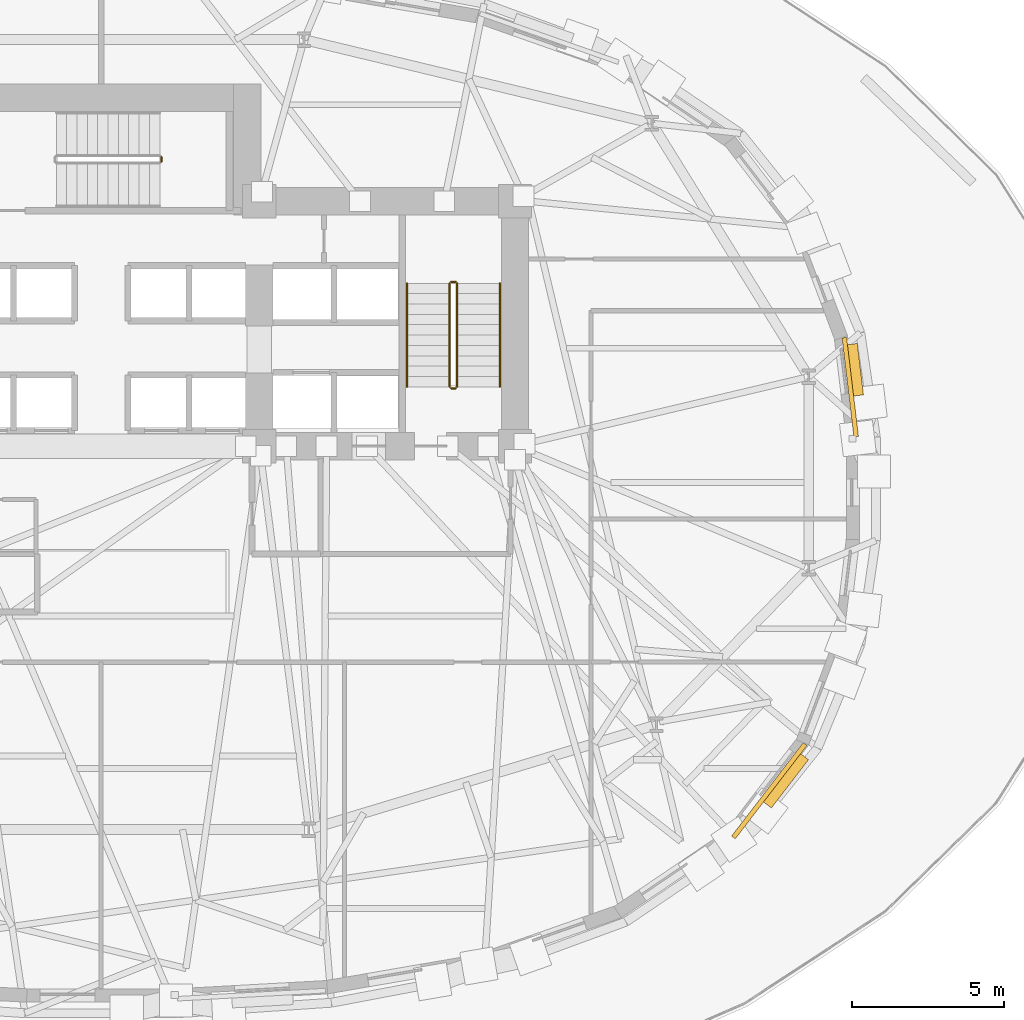
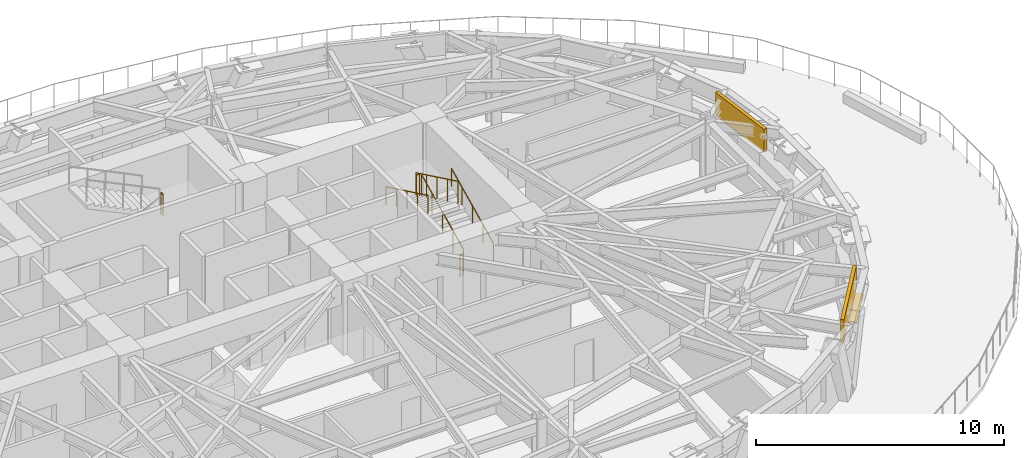
# One storey, part 13 of 14: 7 railings, 2 coverings, 2 shading devices.
"""IFC4 building model written with IfcOpenShell, lengths in metres."""

from ifc_helpers import new_model, si_unit, direction, frame, origin, origin_2d, place, context, subcontext, project, spatial, rectangle, circle, extrude, material, layer, layer_set, type_object, element, save


model = new_model("IFC4")

# Units and contexts
model_context = context("Model", 3, precision=1e-05, world=origin(), true_north=direction((0.0, 1.0)))
body_context = subcontext(model_context, "Body", "Model", "MODEL_VIEW")
ifc_project = project(units=[si_unit("LENGTHUNIT", "METRE"), si_unit("AREAUNIT", "SQUARE_METRE"), si_unit("VOLUMEUNIT", "CUBIC_METRE"), si_unit("PLANEANGLEUNIT", "RADIAN"), si_unit("MASSUNIT", "GRAM", prefix="KILO")], contexts=[model_context])

# Site, building, storey
site_placement = place(None, origin())
site = spatial("IfcSite", under=ifc_project, at=site_placement, CompositionType="ELEMENT")
building_placement = place(site_placement, origin())
building = spatial("IfcBuilding", under=site, at=building_placement, Name="Keldmark Tower", CompositionType="ELEMENT")
storey_placement = place(building_placement, frame((0.0, 0.0, 27.0)))
storey = spatial("IfcBuildingStorey", under=building, at=storey_placement, Name="L06", CompositionType="ELEMENT", Elevation=27.0)

# Shading devices
ifc_material_1 = material(Name="Kasota Buff Limestone Bullnose and Bronze Anodized Aluminum", Category="masonry")
ifc_layer_1 = layer(ifc_material_1, 0.080078125)
ifc_layer_set_1 = layer_set([ifc_layer_1], Name="Kasota Buff Limestone Bullnose and Bronze Anodized Aluminum")
shading_device_type = type_object("IfcShadingDeviceType", Name="Deep-Set Punched Window Stone-and-Metal Sunshade", PredefinedType="AWNING", material=ifc_layer_set_1)
shading_device_1_placement = place(storey_placement, frame((24.742431640625, 3.904296875, 2.35986328125), z_axis=(0.0, 0.0, 1.0), x_axis=(0.118767901212, -0.992922044091, 0.0)))
element("IfcShadingDevice", 1, at=shading_device_1_placement, inside=storey, type_object=shading_device_type, Name="L06 Kasota Stone Window Sunshade 01", PredefinedType="AWNING", context=body_context, shape_type="SweptSolid", body=[
    extrude(rectangle(XDim=1.699951171875, YDim=0.419921875, at=origin_2d()), origin(), (0.0, 0.0, 1.0), 0.080078125),
])
shading_device_2_placement = place(storey_placement, frame((22.468994140625, -9.571533203125, 2.35986328125), z_axis=(0.0, 0.0, 1.0), x_axis=(-0.60883065983, -0.793300212814, 0.0)))
element("IfcShadingDevice", 2, at=shading_device_2_placement, inside=storey, type_object=shading_device_type, Name="L06 Kasota Stone Window Sunshade 29", PredefinedType="AWNING", context=body_context, shape_type="SweptSolid", body=[
    extrude(rectangle(XDim=2.0, YDim=0.419921875, at=origin_2d()), origin(), (0.0, 0.0, 1.0), 0.080078125),
])

# Coverings
ifc_material_2 = material(Name="Honed Kasota Buff Dolomitic Limestone", Category="masonry")
ifc_layer_2 = layer(ifc_material_2, 0.074951171875)
ifc_layer_set_2 = layer_set([ifc_layer_2], Name="Honed Kasota Buff Dolomitic Limestone")
covering_type = type_object("IfcCoveringType", Name="Kasota Buff Limestone Spandrel Cladding Band", PredefinedType="CLADDING", material=ifc_layer_set_2)
covering_1_placement = place(storey_placement, frame((24.619140625, 3.336181640625, 2.453125), z_axis=(0.0, 0.0, 1.0), x_axis=(-0.118767901212, 0.992922044091, 0.0)))
element("IfcCovering", 3, at=covering_1_placement, inside=storey, type_object=covering_type, Name="L06 Kasota Limestone Spandrel Band 01", PredefinedType="CLADDING", context=body_context, shape_type="SweptSolid", body=[
    extrude(rectangle(XDim=3.2783203125, YDim=0.14990234375, at=origin_2d()), origin(), (0.0, 0.0, 1.0), 1.126953125),
])
covering_2_placement = place(storey_placement, frame((21.956787109375, -9.927001953125, 2.453125), z_axis=(0.0, 0.0, 1.0), x_axis=(0.60883065983, 0.793300212814, 0.0)))
element("IfcCovering", 4, at=covering_2_placement, inside=storey, type_object=covering_type, Name="L06 Kasota Limestone Spandrel Band 29", PredefinedType="CLADDING", context=body_context, shape_type="SweptSolid", body=[
    extrude(rectangle(XDim=3.861328125, YDim=0.14990234375, at=origin_2d()), origin(), (0.0, 0.0, 1.0), 1.126953125),
])

# Railings
ifc_material_3 = material(Name="Painted Steel ASTM A500 Grade B", Category="steel")
railing_type_1 = type_object("IfcRailingType", Name="Painted Steel Stair Well Guard 1100 mm", PredefinedType="GUARDRAIL", material=ifc_material_3)
railing_1_placement = place(storey_placement, frame((11.699951171875, 3.35009765625, 0.16357421875)))
element("IfcRailing", 5, at=railing_1_placement, inside=storey, type_object=railing_type_1, Name="L06 ST2 stair guard 1", PredefinedType="GUARDRAIL", context=body_context, shape_type="SweptSolid", body=[
    extrude(circle(Radius=0.02392578125, at=origin_2d()), frame((0.0, 0.0, 1.076171875), z_axis=(0.0, 0.901055053782, 0.433704726806), x_axis=(-1.0, 0.0, 0.0)), (0.0, 0.0, 1.0), 3.773193359375),
    extrude(circle(Radius=0.02099609375, at=origin_2d()), origin(), (0.0, 0.0, 1.0), 1.052001953125),
    extrude(circle(Radius=0.02099609375, at=origin_2d()), frame((0.0, 0.85009765625, 0.4091796875)), (0.0, 0.0, 1.0), 1.052001953125),
    extrude(circle(Radius=0.02099609375, at=origin_2d()), frame((0.0, 1.699951171875, 0.818359375)), (0.0, 0.0, 1.0), 1.052001953125),
    extrude(circle(Radius=0.02099609375, at=origin_2d()), frame((0.0, 2.5498046875, 1.227294921875)), (0.0, 0.0, 1.0), 1.052001953125),
    extrude(circle(Radius=0.02099609375, at=origin_2d()), frame((0.0, 3.39990234375, 1.636474609375)), (0.0, 0.0, 1.0), 1.052001953125),
])
railing_2_placement = place(storey_placement, frame((11.64990234375, 6.800048828125, 1.800048828125)))
element("IfcRailing", 6, at=railing_2_placement, inside=storey, type_object=railing_type_1, Name="L06 ST2 stair guard 2", PredefinedType="GUARDRAIL", context=body_context, shape_type="SweptSolid", body=[
    extrude(circle(Radius=0.02392578125, at=origin_2d()), frame((0.0, 0.0, 1.076171875), z_axis=(-1.0, 0.0, 0.0), x_axis=(0.0, -1.0, 0.0)), (0.0, 0.0, 1.0), 0.14990234375),
    extrude(circle(Radius=0.02099609375, at=origin_2d()), origin(), (0.0, 0.0, 1.0), 1.052001953125),
    extrude(circle(Radius=0.02099609375, at=origin_2d()), frame((-0.14990234375, 0.0, 0.0)), (0.0, 0.0, 1.0), 1.052001953125),
])
railing_3_placement = place(storey_placement, frame((11.449951171875, 6.75, 1.963623046875)))
element("IfcRailing", 7, at=railing_3_placement, inside=storey, type_object=railing_type_1, Name="L06 ST2 stair guard 3", PredefinedType="GUARDRAIL", context=body_context, shape_type="SweptSolid", body=[
    extrude(circle(Radius=0.02392578125, at=origin_2d()), frame((0.0, 0.0, 1.076171875), z_axis=(0.0, -0.901055053782, 0.433704726806), x_axis=(1.0, 0.0, 0.0)), (0.0, 0.0, 1.0), 3.773193359375),
    extrude(circle(Radius=0.02099609375, at=origin_2d()), origin(), (0.0, 0.0, 1.0), 1.052001953125),
    extrude(circle(Radius=0.02099609375, at=origin_2d()), frame((0.0, -0.85009765625, 0.4091796875)), (0.0, 0.0, 1.0), 1.052001953125),
    extrude(circle(Radius=0.02099609375, at=origin_2d()), frame((0.0, -1.699951171875, 0.818359375)), (0.0, 0.0, 1.0), 1.052001953125),
    extrude(circle(Radius=0.02099609375, at=origin_2d()), frame((0.0, -2.5498046875, 1.227294921875)), (0.0, 0.0, 1.0), 1.052001953125),
    extrude(circle(Radius=0.02099609375, at=origin_2d()), frame((0.0, -3.39990234375, 1.636474609375)), (0.0, 0.0, 1.0), 1.052001953125),
])
railing_4_placement = place(storey_placement, frame((11.64990234375, 3.300048828125, 0.0)))
element("IfcRailing", 8, at=railing_4_placement, inside=storey, type_object=railing_type_1, Name="L06 ST2 stair guard 4", PredefinedType="GUARDRAIL", context=body_context, shape_type="SweptSolid", body=[
    extrude(circle(Radius=0.02392578125, at=origin_2d()), frame((0.0, 0.0, 1.076171875), z_axis=(-1.0, 0.0, 0.0), x_axis=(0.0, -1.0, 0.0)), (0.0, 0.0, 1.0), 0.14990234375),
    extrude(circle(Radius=0.02099609375, at=origin_2d()), origin(), (0.0, 0.0, 1.0), 1.052001953125),
    extrude(circle(Radius=0.02099609375, at=origin_2d()), frame((-0.14990234375, 0.0, 0.0)), (0.0, 0.0, 1.0), 1.052001953125),
])
railing_5_placement = place(storey_placement, frame((1.97509765625, 10.75, 1.800048828125)))
element("IfcRailing", 9, at=railing_5_placement, inside=storey, type_object=railing_type_1, Name="L06 ST3 stair guard 2", PredefinedType="GUARDRAIL", context=body_context, shape_type="SweptSolid", body=[
    extrude(circle(Radius=0.02392578125, at=origin_2d()), frame((0.0, 0.0, 1.076171875), z_axis=(0.0, 1.0, 0.0), x_axis=(-1.0, 0.0, 0.0)), (0.0, 0.0, 1.0), 0.14990234375),
    extrude(circle(Radius=0.02099609375, at=origin_2d()), origin(), (0.0, 0.0, 1.0), 1.052001953125),
    extrude(circle(Radius=0.02099609375, at=origin_2d()), frame((0.0, 0.14990234375, 0.0)), (0.0, 0.0, 1.0), 1.052001953125),
])
ifc_material_4 = material(Name="Stainless Steel AISI 316L", Category="steel")
railing_type_2 = type_object("IfcRailingType", Name="Stainless Steel Stair Handrail 900 mm", PredefinedType="HANDRAIL", material=ifc_material_4)
railing_6_placement = place(storey_placement, frame((13.10009765625, 3.35009765625, 0.16357421875)))
element("IfcRailing", 10, at=railing_6_placement, inside=storey, type_object=railing_type_2, Name="L06 ST2 stair handrail 1", PredefinedType="HANDRAIL", context=body_context, shape_type="SweptSolid", body=[
    extrude(circle(Radius=0.02392578125, at=origin_2d()), frame((0.0, 0.0, 0.8759765625), z_axis=(0.0, 0.901055053782, 0.433704726806), x_axis=(-1.0, 0.0, 0.0)), (0.0, 0.0, 1.0), 3.773193359375),
    extrude(circle(Radius=0.02099609375, at=origin_2d()), origin(), (0.0, 0.0, 1.0), 0.851806640625),
    extrude(circle(Radius=0.02099609375, at=origin_2d()), frame((0.0, 0.85009765625, 0.4091796875)), (0.0, 0.0, 1.0), 0.851806640625),
    extrude(circle(Radius=0.02099609375, at=origin_2d()), frame((0.0, 1.699951171875, 0.818359375)), (0.0, 0.0, 1.0), 0.851806640625),
    extrude(circle(Radius=0.02099609375, at=origin_2d()), frame((0.0, 2.5498046875, 1.227294921875)), (0.0, 0.0, 1.0), 0.851806640625),
    extrude(circle(Radius=0.02099609375, at=origin_2d()), frame((0.0, 3.39990234375, 1.636474609375)), (0.0, 0.0, 1.0), 0.851806640625),
])
railing_7_placement = place(storey_placement, frame((10.050048828125, 6.75, 1.963623046875)))
element("IfcRailing", 11, at=railing_7_placement, inside=storey, type_object=railing_type_2, Name="L06 ST2 stair handrail 2", PredefinedType="HANDRAIL", context=body_context, shape_type="SweptSolid", body=[
    extrude(circle(Radius=0.02392578125, at=origin_2d()), frame((0.0, 0.0, 0.8759765625), z_axis=(0.0, -0.901055053782, 0.433704726806), x_axis=(1.0, 0.0, 0.0)), (0.0, 0.0, 1.0), 3.773193359375),
    extrude(circle(Radius=0.02099609375, at=origin_2d()), origin(), (0.0, 0.0, 1.0), 0.851806640625),
    extrude(circle(Radius=0.02099609375, at=origin_2d()), frame((0.0, -0.85009765625, 0.4091796875)), (0.0, 0.0, 1.0), 0.851806640625),
    extrude(circle(Radius=0.02099609375, at=origin_2d()), frame((0.0, -1.699951171875, 0.818359375)), (0.0, 0.0, 1.0), 0.851806640625),
    extrude(circle(Radius=0.02099609375, at=origin_2d()), frame((0.0, -2.5498046875, 1.227294921875)), (0.0, 0.0, 1.0), 0.851806640625),
    extrude(circle(Radius=0.02099609375, at=origin_2d()), frame((0.0, -3.39990234375, 1.636474609375)), (0.0, 0.0, 1.0), 0.851806640625),
])

save(model, "model.ifc")
